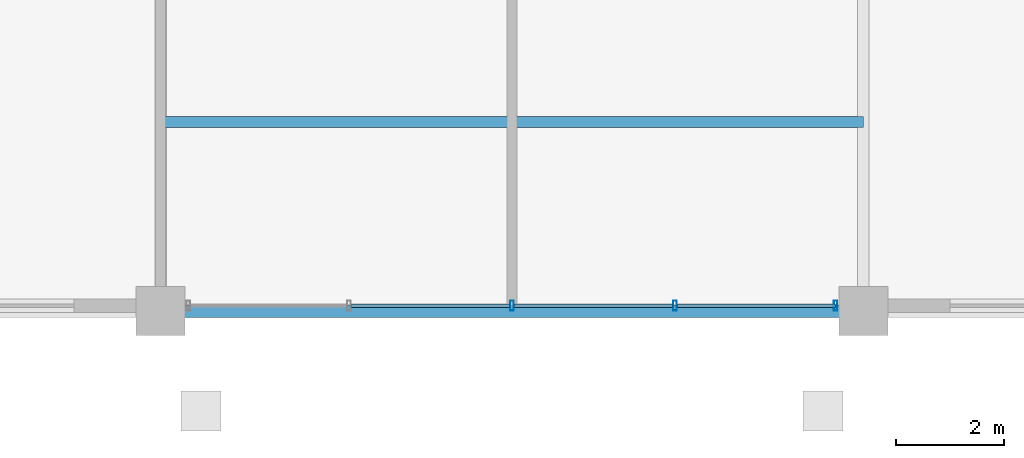
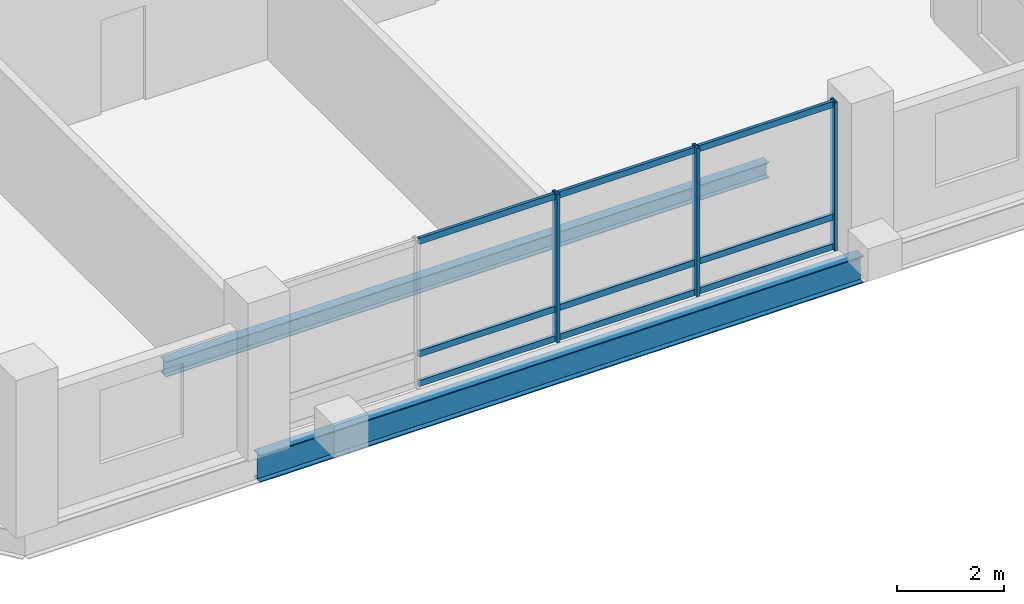
# One storey, part 4 of 21: 12 members, 2 beams, 1 element without a shape of its own.
"""IFC4 building model written with IfcOpenShell, lengths in metres."""

from ifc_helpers import new_model, si_unit, direction, frame, origin, origin_2d, place, context, subcontext, project, spatial, hollow_rectangle, i_section, extrude, material, layer, layer_set, material_profile, profile_set, type_object, element, aggregate, save


model = new_model("IFC4")

# Units and contexts
model_context = context("Model", 3, precision=1e-05, world=origin(), true_north=direction((0.0, 1.0)))
body_context = subcontext(model_context, "Body", "Model", "MODEL_VIEW")
ifc_project = project(units=[si_unit("LENGTHUNIT", "METRE"), si_unit("AREAUNIT", "SQUARE_METRE"), si_unit("VOLUMEUNIT", "CUBIC_METRE"), si_unit("PLANEANGLEUNIT", "RADIAN"), si_unit("MASSUNIT", "GRAM", prefix="KILO")], contexts=[model_context])

# Site, building, storey
site_placement = place(None, origin())
site = spatial("IfcSite", under=ifc_project, at=site_placement, CompositionType="ELEMENT")
building_placement = place(site_placement, origin())
building = spatial("IfcBuilding", under=site, at=building_placement, Name="Barlavira Tower and Art Museum", CompositionType="ELEMENT")
storey_placement = place(building_placement, frame((0.0, 0.0, 222.300048828125)))
storey = spatial("IfcBuildingStorey", under=building, at=storey_placement, Name="L57", CompositionType="ELEMENT", Elevation=222.300048828125)

# Curtain wall, members
ifc_material_1 = material(Name="Low-iron coastal laminated glass", Category="glass")
ifc_layer = layer(ifc_material_1, 0.2099609375, Name="Low-iron coastal laminated glass")
ifc_layer_set = layer_set([ifc_layer], Name="Low-iron coastal laminated glass")
curtain_wall_type = type_object("IfcCurtainWallType", Name="Pale-Metal Unitised Curtain Wall Zone 4", PredefinedType="NOTDEFINED", material=ifc_layer_set)
curtain_wall_placement = place(storey_placement, origin())
curtain_wall = element("IfcCurtainWall", 1, at=curtain_wall_placement, inside=storey, type_object=curtain_wall_type, Name="L57 Curtain Wall CW4-L57-S-B2", PredefinedType="NOTDEFINED")
ifc_material_2 = material(Name="Pale anodised aluminium", Category="aluminium")
ifc_material_profile_1 = material_profile(ifc_material_2, hollow_rectangle(XDim=0.06494140625, YDim=0.179931640625, WallThickness=0.00390625, at=origin_2d()), Name="ALU-MULL 65x180x4")
ifc_profile_set_1 = profile_set([ifc_material_profile_1], Name="Pale anodised aluminium")
member_type_1 = type_object("IfcMemberType", Name="Curtain Wall Pale-Metal Mullion 65x180", PredefinedType="MULLION", material=ifc_profile_set_1)
member_1_placement = place(storey_placement, frame((0.0, -19.89990234375, 0.0), z_axis=(0.0, 0.0, 1.0), x_axis=(1.0, 0.0, 0.0)))
member_1 = element("IfcMember", 2, at=member_1_placement, type_object=member_type_1, Name="CW4-L57-S-B2 Mullion 2", PredefinedType="MULLION", context=body_context, shape_type="SweptSolid", body=[
    extrude(hollow_rectangle(XDim=0.06494140625, YDim=0.179931640625, WallThickness=0.00390625, at=origin_2d()), origin(), (0.0, 0.0, 1.0), 3.3798828125),
])
member_2_placement = place(storey_placement, frame((3.014892578125, -19.89990234375, 0.0), z_axis=(0.0, 0.0, 1.0), x_axis=(1.0, 0.0, 0.0)))
member_2 = element("IfcMember", 3, at=member_2_placement, type_object=member_type_1, Name="CW4-L57-S-B2 Mullion 3", PredefinedType="MULLION", context=body_context, shape_type="SweptSolid", body=[
    extrude(hollow_rectangle(XDim=0.06494140625, YDim=0.179931640625, WallThickness=0.00390625, at=origin_2d()), origin(), (0.0, 0.0, 1.0), 3.3798828125),
])
member_3_placement = place(storey_placement, frame((5.985107421875, -19.89990234375, 0.0), z_axis=(0.0, 0.0, 1.0), x_axis=(1.0, 0.0, 0.0)))
member_3 = element("IfcMember", 4, at=member_3_placement, type_object=member_type_1, Name="CW4-L57-S-B2 Mullion 4", PredefinedType="MULLION", context=body_context, shape_type="SweptSolid", body=[
    extrude(hollow_rectangle(XDim=0.06494140625, YDim=0.179931640625, WallThickness=0.00390625, at=origin_2d()), origin(), (0.0, 0.0, 1.0), 3.3798828125),
])
ifc_material_profile_2 = material_profile(ifc_material_2, hollow_rectangle(XDim=0.06494140625, YDim=0.139892578125, WallThickness=0.00390625, at=origin_2d()), Name="ALU-TRAN 65x140x4")
ifc_profile_set_2 = profile_set([ifc_material_profile_2], Name="Pale anodised aluminium")
member_type_2 = type_object("IfcMemberType", Name="Curtain Wall Pale-Metal Transom 65x140", PredefinedType="USERDEFINED", material=ifc_profile_set_2)
member_4_placement = place(storey_placement, frame((-2.969970703125, -19.89990234375, 0.070068359375), z_axis=(1.0, 0.0, 0.0), x_axis=(0.0, 1.0, 0.0)))
member_4 = element("IfcMember", 5, at=member_4_placement, type_object=member_type_2, Name="CW4-L57-S-B2 Transom 1.1", ObjectType="TRANSOM", PredefinedType="USERDEFINED", context=body_context, shape_type="SweptSolid", body=[
    extrude(hollow_rectangle(XDim=0.06494140625, YDim=0.139892578125, WallThickness=0.00390625, at=origin_2d()), origin(), (0.0, 0.0, 1.0), 2.925048828125),
])
member_5_placement = place(storey_placement, frame((-2.969970703125, -19.89990234375, 0.743896484375), z_axis=(1.0, 0.0, 0.0), x_axis=(0.0, 1.0, 0.0)))
member_5 = element("IfcMember", 6, at=member_5_placement, type_object=member_type_2, Name="CW4-L57-S-B2 Transom 1.2", ObjectType="TRANSOM", PredefinedType="USERDEFINED", context=body_context, shape_type="SweptSolid", body=[
    extrude(hollow_rectangle(XDim=0.06494140625, YDim=0.139892578125, WallThickness=0.00390625, at=origin_2d()), origin(), (0.0, 0.0, 1.0), 2.925048828125),
])
member_6_placement = place(storey_placement, frame((-2.969970703125, -19.89990234375, 3.31005859375), z_axis=(1.0, 0.0, 0.0), x_axis=(0.0, 1.0, 0.0)))
member_6 = element("IfcMember", 7, at=member_6_placement, type_object=member_type_2, Name="CW4-L57-S-B2 Transom 1.3", ObjectType="TRANSOM", PredefinedType="USERDEFINED", context=body_context, shape_type="SweptSolid", body=[
    extrude(hollow_rectangle(XDim=0.06494140625, YDim=0.139892578125, WallThickness=0.00390625, at=origin_2d()), origin(), (0.0, 0.0, 1.0), 2.925048828125),
])
member_7_placement = place(storey_placement, frame((0.044921875, -19.89990234375, 0.070068359375), z_axis=(1.0, 0.0, 0.0), x_axis=(0.0, 1.0, 0.0)))
member_7 = element("IfcMember", 8, at=member_7_placement, type_object=member_type_2, Name="CW4-L57-S-B2 Transom 2.1", ObjectType="TRANSOM", PredefinedType="USERDEFINED", context=body_context, shape_type="SweptSolid", body=[
    extrude(hollow_rectangle(XDim=0.06494140625, YDim=0.139892578125, WallThickness=0.00390625, at=origin_2d()), origin(), (0.0, 0.0, 1.0), 2.925048828125),
])
member_8_placement = place(storey_placement, frame((0.044921875, -19.89990234375, 0.743896484375), z_axis=(1.0, 0.0, 0.0), x_axis=(0.0, 1.0, 0.0)))
member_8 = element("IfcMember", 9, at=member_8_placement, type_object=member_type_2, Name="CW4-L57-S-B2 Transom 2.2", ObjectType="TRANSOM", PredefinedType="USERDEFINED", context=body_context, shape_type="SweptSolid", body=[
    extrude(hollow_rectangle(XDim=0.06494140625, YDim=0.139892578125, WallThickness=0.00390625, at=origin_2d()), origin(), (0.0, 0.0, 1.0), 2.925048828125),
])
member_9_placement = place(storey_placement, frame((0.044921875, -19.89990234375, 3.31005859375), z_axis=(1.0, 0.0, 0.0), x_axis=(0.0, 1.0, 0.0)))
member_9 = element("IfcMember", 10, at=member_9_placement, type_object=member_type_2, Name="CW4-L57-S-B2 Transom 2.3", ObjectType="TRANSOM", PredefinedType="USERDEFINED", context=body_context, shape_type="SweptSolid", body=[
    extrude(hollow_rectangle(XDim=0.06494140625, YDim=0.139892578125, WallThickness=0.00390625, at=origin_2d()), origin(), (0.0, 0.0, 1.0), 2.925048828125),
])
member_10_placement = place(storey_placement, frame((3.06005859375, -19.89990234375, 0.070068359375), z_axis=(1.0, 0.0, 0.0), x_axis=(0.0, 1.0, 0.0)))
member_10 = element("IfcMember", 11, at=member_10_placement, type_object=member_type_2, Name="CW4-L57-S-B2 Transom 3.1", ObjectType="TRANSOM", PredefinedType="USERDEFINED", context=body_context, shape_type="SweptSolid", body=[
    extrude(hollow_rectangle(XDim=0.06494140625, YDim=0.139892578125, WallThickness=0.00390625, at=origin_2d()), origin(), (0.0, 0.0, 1.0), 2.925048828125),
])
member_11_placement = place(storey_placement, frame((3.06005859375, -19.89990234375, 0.743896484375), z_axis=(1.0, 0.0, 0.0), x_axis=(0.0, 1.0, 0.0)))
member_11 = element("IfcMember", 12, at=member_11_placement, type_object=member_type_2, Name="CW4-L57-S-B2 Transom 3.2", ObjectType="TRANSOM", PredefinedType="USERDEFINED", context=body_context, shape_type="SweptSolid", body=[
    extrude(hollow_rectangle(XDim=0.06494140625, YDim=0.139892578125, WallThickness=0.00390625, at=origin_2d()), origin(), (0.0, 0.0, 1.0), 2.925048828125),
])
member_12_placement = place(storey_placement, frame((3.06005859375, -19.89990234375, 3.31005859375), z_axis=(1.0, 0.0, 0.0), x_axis=(0.0, 1.0, 0.0)))
member_12 = element("IfcMember", 13, at=member_12_placement, type_object=member_type_2, Name="CW4-L57-S-B2 Transom 3.3", ObjectType="TRANSOM", PredefinedType="USERDEFINED", context=body_context, shape_type="SweptSolid", body=[
    extrude(hollow_rectangle(XDim=0.06494140625, YDim=0.139892578125, WallThickness=0.00390625, at=origin_2d()), origin(), (0.0, 0.0, 1.0), 2.925048828125),
])
aggregate(curtain_wall, [member_1, member_2, member_3, member_4, member_5, member_6, member_7, member_8, member_9, member_10, member_11, member_12])

# Beams
ifc_material_3 = material(Name="Steel S355", Category="steel")
ifc_material_profile_3 = material_profile(ifc_material_3, i_section(OverallWidth=0.22998046875, OverallDepth=0.616943359375, WebThickness=0.01318359375, FlangeThickness=0.022216796875, at=origin_2d()), Name="W610x140.0")
ifc_profile_set_3 = profile_set([ifc_material_profile_3], Name="Steel S355")
beam_type_1 = type_object("IfcBeamType", Name="Upper Shaft Spandrel Edge Beam W610x140 Steel S355", PredefinedType="SPANDREL", material=ifc_profile_set_3)
beam_1_placement = place(storey_placement, frame((-6.5, -20.0, -0.528564453125), z_axis=(1.0, 0.0, 0.0), x_axis=(0.0, 1.0, 0.0)))
element("IfcBeam", 14, at=beam_1_placement, inside=storey, type_object=beam_type_1, Name="L57 Spandrel 2", PredefinedType="SPANDREL", context=body_context, shape_type="SweptSolid", body=[
    extrude(i_section(OverallWidth=0.22998046875, OverallDepth=0.616943359375, WebThickness=0.01318359375, FlangeThickness=0.022216796875, at=origin_2d()), origin(), (0.0, 0.0, 1.0), 13.0),
])
ifc_material_profile_4 = material_profile(ifc_material_3, i_section(OverallWidth=0.202880859375, OverallDepth=0.346923828125, WebThickness=0.0078125, FlangeThickness=0.013427734375, at=origin_2d()), Name="W360x64.0")
ifc_profile_set_4 = profile_set([ifc_material_profile_4], Name="Steel S355")
beam_type_2 = type_object("IfcBeamType", Name="Zone 4 Composite Floor Joist W360x64 Steel S355", PredefinedType="JOIST", material=ifc_profile_set_4)
beam_2_placement = place(storey_placement, frame((-6.5, -16.5, -0.3935546875), z_axis=(1.0, 0.0, 0.0), x_axis=(0.0, 1.0, 0.0)))
element("IfcBeam", 15, at=beam_2_placement, inside=storey, type_object=beam_type_2, Name="L57 Joist C1", PredefinedType="JOIST", context=body_context, shape_type="SweptSolid", body=[
    extrude(i_section(OverallWidth=0.202880859375, OverallDepth=0.346923828125, WebThickness=0.0078125, FlangeThickness=0.013427734375, at=origin_2d()), origin(), (0.0, 0.0, 1.0), 13.0),
])

save(model, "model.ifc")
